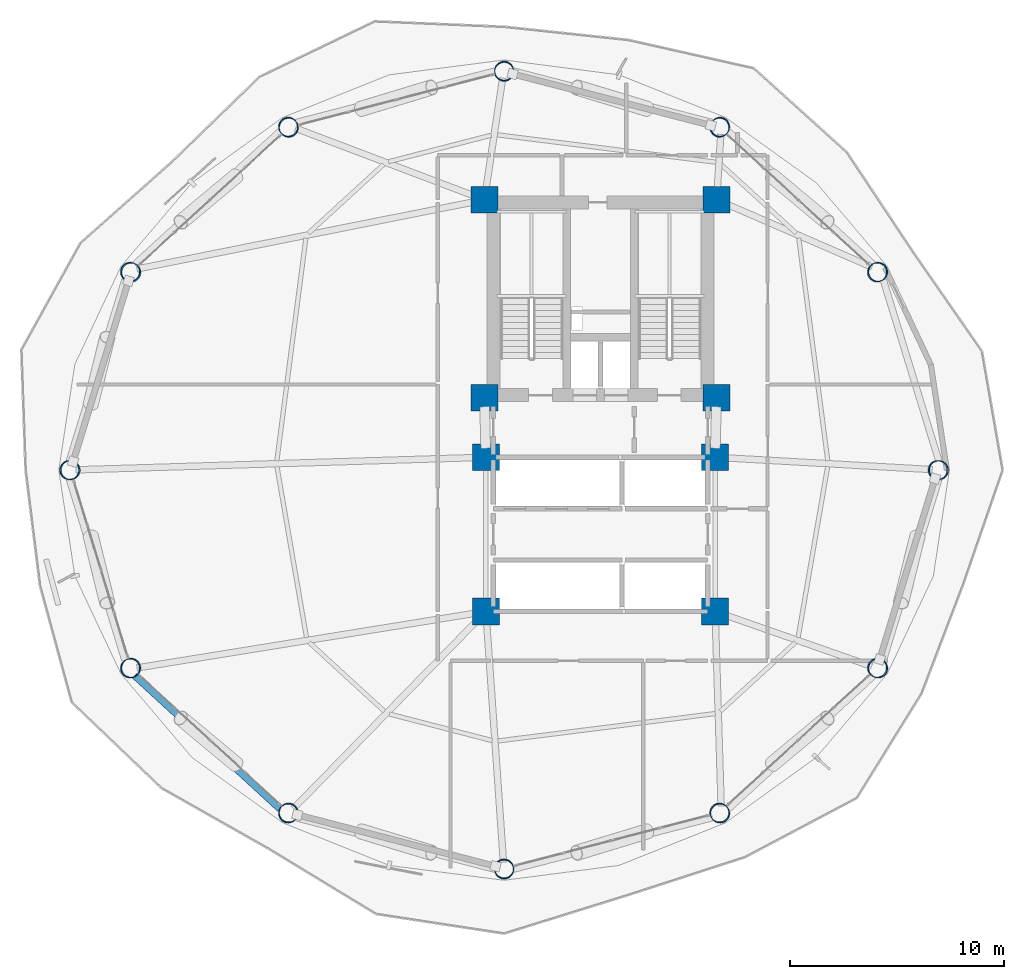
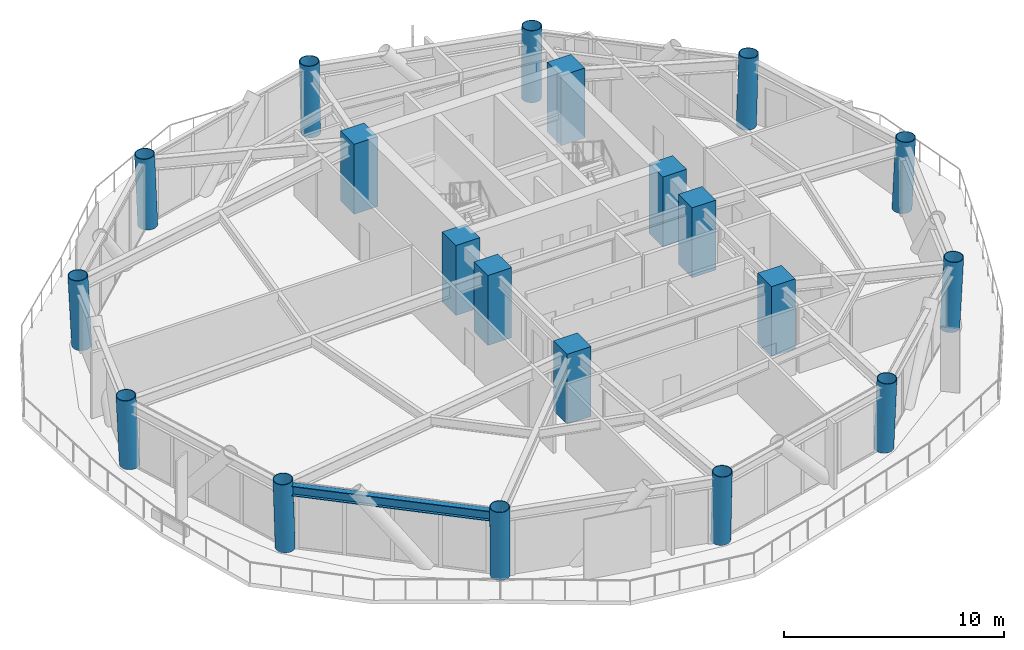
# One storey, part 1 of 23: 20 columns, 1 beam.
"""IFC4 building model written with IfcOpenShell, lengths in metres."""

from ifc_helpers import new_model, si_unit, direction, frame, origin, origin_2d, place, context, subcontext, project, spatial, rectangle, hollow_circle, i_section, extrude, material, material_profile, profile_set, type_object, element, save


model = new_model("IFC4")

# Units and contexts
model_context = context("Model", 3, precision=1e-05, world=origin(), true_north=direction((0.0, 1.0)))
body_context = subcontext(model_context, "Body", "Model", "MODEL_VIEW")
ifc_project = project(units=[si_unit("LENGTHUNIT", "METRE"), si_unit("AREAUNIT", "SQUARE_METRE"), si_unit("VOLUMEUNIT", "CUBIC_METRE"), si_unit("PLANEANGLEUNIT", "RADIAN"), si_unit("MASSUNIT", "GRAM", prefix="KILO")], contexts=[model_context])

# Site, building, storey
site_placement = place(None, origin())
site = spatial("IfcSite", under=ifc_project, at=site_placement, CompositionType="ELEMENT")
building_placement = place(site_placement, origin())
building = spatial("IfcBuilding", under=site, at=building_placement, Name="Varnakorn Sky Granary", CompositionType="ELEMENT")
storey_placement = place(building_placement, frame((0.0, 0.0, 31.5)))
storey = spatial("IfcBuildingStorey", under=building, at=storey_placement, Name="L07", CompositionType="ELEMENT", Elevation=31.5)

# Columns
ifc_material_1 = material(Name="Steel S460M", Category="steel")
ifc_material_profile_1 = material_profile(ifc_material_1, hollow_circle(Radius=0.45703125, WallThickness=0.031982421875, at=origin_2d()), Name="CHS 914x32")
ifc_profile_set_1 = profile_set([ifc_material_profile_1], Name="Steel S460M")
column_type_1 = type_object("IfcColumnType", Name="COL-DC-Z1", PredefinedType="COLUMN", material=ifc_profile_set_1)
column_1_placement = place(storey_placement, frame((18.738037109375, 0.0, 0.0), z_axis=(0.047953840678, 0.0, 0.998849552818), x_axis=(0.0, 1.0, 0.0)))
element("IfcColumn", 1, at=column_1_placement, inside=storey, type_object=column_type_1, Name="Drum Perimeter Column DC01 L07", PredefinedType="COLUMN", context=body_context, shape_type="SweptSolid", body=[
    extrude(hollow_circle(Radius=0.45703125, WallThickness=0.031982421875, at=origin_2d()), origin(), (0.0, 0.0, 1.0), 3.87939453125),
])
column_2_placement = place(storey_placement, frame((15.90966796875, 9.23046875, 0.0), z_axis=(0.041539497923, 0.018692774065, 0.998961986419), x_axis=(-0.410364677329, 0.911921505175, 0.0)))
element("IfcColumn", 2, at=column_2_placement, inside=storey, type_object=column_type_1, Name="Drum Perimeter Column DC02 L07", PredefinedType="COLUMN", context=body_context, shape_type="SweptSolid", body=[
    extrude(hollow_circle(Radius=0.45703125, WallThickness=0.031982421875, at=origin_2d()), origin(), (0.0, 0.0, 1.0), 3.87890625),
])
column_3_placement = place(storey_placement, frame((8.551513671875, 15.98779296875, 0.0), z_axis=(0.02398505699, 0.03235779342, 0.99918851587), x_axis=(-0.803363337712, 0.59548916667, 0.0)))
element("IfcColumn", 3, at=column_3_placement, inside=storey, type_object=column_type_1, Name="Drum Perimeter Column DC03 L07", PredefinedType="COLUMN", context=body_context, shape_type="SweptSolid", body=[
    extrude(hollow_circle(Radius=0.45703125, WallThickness=0.031982421875, at=origin_2d()), origin(), (0.0, 0.0, 1.0), 3.878173828125),
])
column_4_placement = place(storey_placement, frame((-1.5, 18.595947265625, 0.0), z_axis=(0.0, 0.037398214629, 0.999300442081), x_axis=(-1.0, 0.0, 0.0)))
element("IfcColumn", 4, at=column_4_placement, inside=storey, type_object=column_type_1, Name="Drum Perimeter Column DC04 L07", PredefinedType="COLUMN", context=body_context, shape_type="SweptSolid", body=[
    extrude(hollow_circle(Radius=0.45703125, WallThickness=0.031982421875, at=origin_2d()), origin(), (0.0, 0.0, 1.0), 3.877685546875),
])
column_5_placement = place(storey_placement, frame((-11.551513671875, 15.98779296875, 0.0), z_axis=(-0.02398505699, 0.03235779342, 0.99918851587), x_axis=(-0.803363337712, -0.59548916667, 0.0)))
element("IfcColumn", 5, at=column_5_placement, inside=storey, type_object=column_type_1, Name="Drum Perimeter Column DC05 L07", PredefinedType="COLUMN", context=body_context, shape_type="SweptSolid", body=[
    extrude(hollow_circle(Radius=0.45703125, WallThickness=0.031982421875, at=origin_2d()), origin(), (0.0, 0.0, 1.0), 3.878173828125),
])
column_6_placement = place(storey_placement, frame((-18.90966796875, 9.23046875, 0.0), z_axis=(-0.041539497923, 0.018692774065, 0.998961986419), x_axis=(-0.410364677329, -0.911921505175, 0.0)))
element("IfcColumn", 6, at=column_6_placement, inside=storey, type_object=column_type_1, Name="Drum Perimeter Column DC06 L07", PredefinedType="COLUMN", context=body_context, shape_type="SweptSolid", body=[
    extrude(hollow_circle(Radius=0.45703125, WallThickness=0.031982421875, at=origin_2d()), origin(), (0.0, 0.0, 1.0), 3.87890625),
])
column_7_placement = place(storey_placement, frame((-21.738037109375, 0.0, 0.0), z_axis=(-0.047953840678, 0.0, 0.998849552818), x_axis=(0.0, -1.0, 0.0)))
element("IfcColumn", 7, at=column_7_placement, inside=storey, type_object=column_type_1, Name="Drum Perimeter Column DC07 L07", PredefinedType="COLUMN", context=body_context, shape_type="SweptSolid", body=[
    extrude(hollow_circle(Radius=0.45703125, WallThickness=0.031982421875, at=origin_2d()), origin(), (0.0, 0.0, 1.0), 3.87939453125),
])
column_8_placement = place(storey_placement, frame((-18.90966796875, -9.23046875, 0.0), z_axis=(-0.041539497923, -0.018692774065, 0.998961986419), x_axis=(0.410364677329, -0.911921505175, 0.0)))
element("IfcColumn", 8, at=column_8_placement, inside=storey, type_object=column_type_1, Name="Drum Perimeter Column DC08 L07", PredefinedType="COLUMN", context=body_context, shape_type="SweptSolid", body=[
    extrude(hollow_circle(Radius=0.45703125, WallThickness=0.031982421875, at=origin_2d()), origin(), (0.0, 0.0, 1.0), 3.87890625),
])
column_9_placement = place(storey_placement, frame((-11.551513671875, -15.98779296875, 0.0), z_axis=(-0.02398505699, -0.03235779342, 0.99918851587), x_axis=(0.803363337712, -0.59548916667, 0.0)))
element("IfcColumn", 9, at=column_9_placement, inside=storey, type_object=column_type_1, Name="Drum Perimeter Column DC09 L07", PredefinedType="COLUMN", context=body_context, shape_type="SweptSolid", body=[
    extrude(hollow_circle(Radius=0.45703125, WallThickness=0.031982421875, at=origin_2d()), origin(), (0.0, 0.0, 1.0), 3.878173828125),
])
column_10_placement = place(storey_placement, frame((-1.5, -18.595947265625, 0.0), z_axis=(0.0, -0.037398214629, 0.999300442081), x_axis=(1.0, 0.0, 0.0)))
element("IfcColumn", 10, at=column_10_placement, inside=storey, type_object=column_type_1, Name="Drum Perimeter Column DC10 L07", PredefinedType="COLUMN", context=body_context, shape_type="SweptSolid", body=[
    extrude(hollow_circle(Radius=0.45703125, WallThickness=0.031982421875, at=origin_2d()), origin(), (0.0, 0.0, 1.0), 3.877685546875),
])
column_11_placement = place(storey_placement, frame((8.551513671875, -15.98779296875, 0.0), z_axis=(0.02398505699, -0.03235779342, 0.99918851587), x_axis=(0.803363337712, 0.59548916667, 0.0)))
element("IfcColumn", 11, at=column_11_placement, inside=storey, type_object=column_type_1, Name="Drum Perimeter Column DC11 L07", PredefinedType="COLUMN", context=body_context, shape_type="SweptSolid", body=[
    extrude(hollow_circle(Radius=0.45703125, WallThickness=0.031982421875, at=origin_2d()), origin(), (0.0, 0.0, 1.0), 3.878173828125),
])
column_12_placement = place(storey_placement, frame((15.90966796875, -9.23046875, 0.0), z_axis=(0.041539497923, -0.018692774065, 0.998961986419), x_axis=(0.410364677329, 0.911921505175, 0.0)))
element("IfcColumn", 12, at=column_12_placement, inside=storey, type_object=column_type_1, Name="Drum Perimeter Column DC12 L07", PredefinedType="COLUMN", context=body_context, shape_type="SweptSolid", body=[
    extrude(hollow_circle(Radius=0.45703125, WallThickness=0.031982421875, at=origin_2d()), origin(), (0.0, 0.0, 1.0), 3.87890625),
])
ifc_material_2 = material(Name="Concrete C60/75", Category="concrete")
ifc_material_profile_2 = material_profile(ifc_material_2, rectangle(XDim=1.25, YDim=1.25, at=origin_2d()), Name="RC 1250x1250")
ifc_profile_set_2 = profile_set([ifc_material_profile_2], Name="Concrete C60/75")
column_type_2 = type_object("IfcColumnType", Name="COL-MC-Z1", PredefinedType="COLUMN", material=ifc_profile_set_2)
for number, where, z_axis, x_axis, name in (
    (13, (-2.419921875, 12.6201171875, 0.0), (0.0, 0.0, 1.0), (1.0, 0.0, 0.0), "Backbone Mega-Column MC1 L07"),
    (14, (8.419921875, 12.6201171875, 0.0), (0.0, 0.0, 1.0), (1.0, 0.0, 0.0), "Backbone Mega-Column MC2 L07"),
    (15, (-2.419921875, 3.3798828125, 0.0), (0.0, 0.0, 1.0), (1.0, 0.0, 0.0), "Backbone Mega-Column MC3 L07"),
    (16, (8.419921875, 3.3798828125, 0.0), (0.0, 0.0, 1.0), (1.0, 0.0, 0.0), "Backbone Mega-Column MC4 L07"),
    (17, (-2.35009765625, 0.60009765625, 0.0), (0.0, 0.0, 1.0), (1.0, 0.0, 0.0), "Backbone Mega-Column MC5 L07"),
    (18, (8.35009765625, 0.60009765625, 0.0), (0.0, 0.0, 1.0), (1.0, 0.0, 0.0), "Backbone Mega-Column MC6 L07"),
    (19, (-2.35009765625, -6.60009765625, 0.0), (0.0, 0.0, 1.0), (1.0, 0.0, 0.0), "Backbone Mega-Column MC7 L07"),
    (20, (8.35009765625, -6.60009765625, 0.0), (0.0, 0.0, 1.0), (1.0, 0.0, 0.0), "Backbone Mega-Column MC8 L07"),
):
    element("IfcColumn", number, at=place(storey_placement, frame(where, z_axis=z_axis, x_axis=x_axis)), inside=storey, type_object=column_type_2, Name=name, PredefinedType="COLUMN", context=body_context, shape_type="SweptSolid", body=[
        extrude(rectangle(XDim=1.25, YDim=1.25, at=origin_2d()), origin(), (0.0, 0.0, 1.0), 3.875),
    ])

# Beam
ifc_material_3 = material(Name="Steel S355JR", Category="steel")
ifc_material_profile_3 = material_profile(ifc_material_3, i_section(OverallWidth=0.300048828125, OverallDepth=0.550048828125, WebThickness=0.014892578125, FlangeThickness=0.029052734375, at=origin_2d()), Name="HE 550 B")
ifc_profile_set_3 = profile_set([ifc_material_profile_3], Name="Steel S355JR")
beam_type = type_object("IfcBeamType", Name="BM-SPD-Z1", PredefinedType="SPANDREL", material=ifc_profile_set_3)
beam_placement = place(storey_placement, frame((-18.7451171875, -9.601806640625, 3.364990234375), z_axis=(0.737015215485, -0.675876151483, 0.0), x_axis=(0.675876151483, 0.737015215485, 0.0)))
element("IfcBeam", 21, at=beam_placement, inside=storey, type_object=beam_type, Name="Perimeter Spandrel Ring Beam RB08 L07", PredefinedType="SPANDREL", context=body_context, shape_type="SweptSolid", body=[
    extrude(i_section(OverallWidth=0.300048828125, OverallDepth=0.550048828125, WebThickness=0.014892578125, FlangeThickness=0.029052734375, at=origin_2d()), origin(), (0.0, 0.0, 1.0), 9.1923828125),
])

save(model, "model.ifc")
